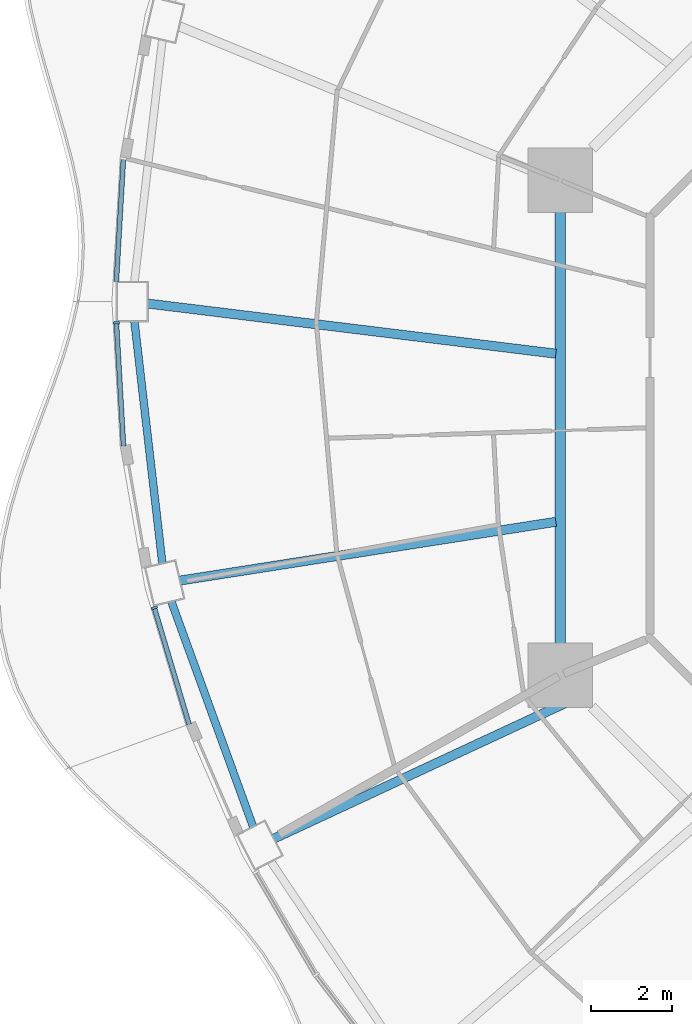
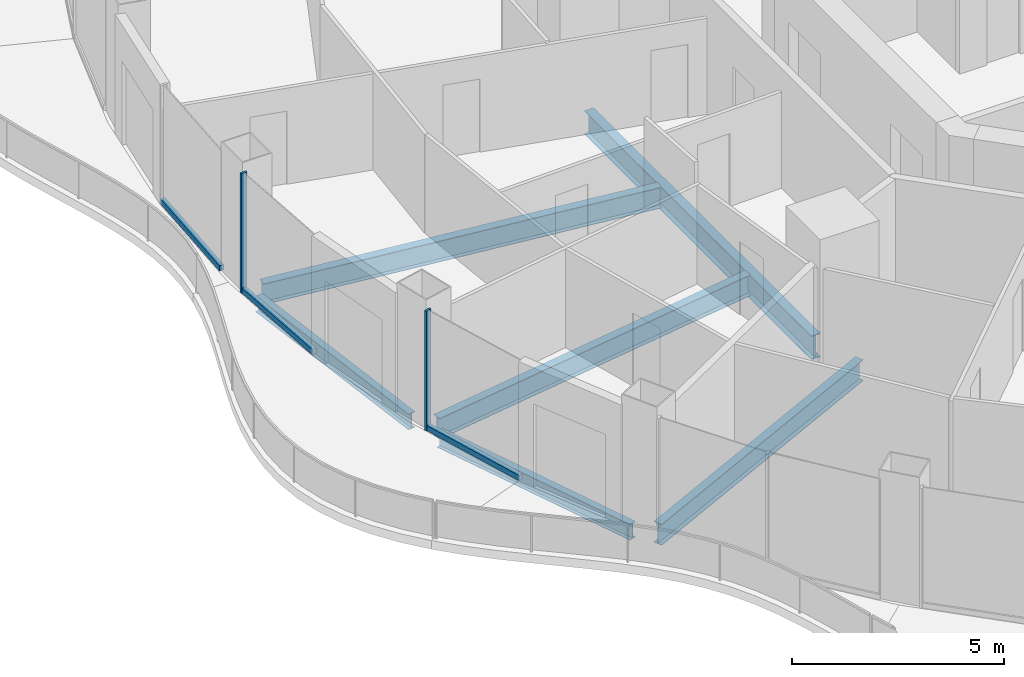
# One storey, part 3 of 18: 6 beams, 5 members, 3 elements without a shape of their own.
"""IFC4 building model written with IfcOpenShell, lengths in metres."""

from ifc_helpers import new_model, si_unit, direction, frame, origin, origin_2d, place, context, subcontext, project, spatial, rectangle, i_section, extrude, material, layer, layer_set, material_profile, profile_set, type_object, element, aggregate, save


model = new_model("IFC4")

# Units and contexts
model_context = context("Model", 3, precision=1e-05, world=origin(), true_north=direction((0.0, 1.0)))
body_context = subcontext(model_context, "Body", "Model", "MODEL_VIEW")
ifc_project = project(units=[si_unit("LENGTHUNIT", "METRE"), si_unit("AREAUNIT", "SQUARE_METRE"), si_unit("VOLUMEUNIT", "CUBIC_METRE"), si_unit("PLANEANGLEUNIT", "RADIAN"), si_unit("MASSUNIT", "GRAM", prefix="KILO")], contexts=[model_context])

# Site, building, storey
site_placement = place(None, origin())
site = spatial("IfcSite", under=ifc_project, at=site_placement, CompositionType="ELEMENT")
building_placement = place(site_placement, origin())
building = spatial("IfcBuilding", under=site, at=building_placement, Name="Nagisa Residences", CompositionType="ELEMENT")
storey_placement = place(building_placement, frame((0.0, 0.0, 241.800048828125)))
storey = spatial("IfcBuildingStorey", under=building, at=storey_placement, Name="L61", CompositionType="ELEMENT", Elevation=241.800048828125)

# Curtain wall, member
ifc_material_1 = material(Name="Concrete-coloured aluminium curtain wall system", Category="concrete")
ifc_layer = layer(ifc_material_1, 0.159912109375)
ifc_layer_set = layer_set([ifc_layer], Name="CW1 CURTAIN WALL")
curtain_wall_type = type_object("IfcCurtainWallType", Name="CW1 CURTAIN WALL", PredefinedType="NOTDEFINED", material=ifc_layer_set)
curtain_wall_1_placement = place(storey_placement, origin())
curtain_wall_1 = element("IfcCurtainWall", 1, at=curtain_wall_1_placement, inside=storey, type_object=curtain_wall_type, Name="cw:CW1:L61:24", PredefinedType="NOTDEFINED")
ifc_material_2 = material(Name="Concrete-coloured aluminium", Category="concrete")
ifc_material_profile_1 = material_profile(ifc_material_2, rectangle(XDim=0.159912109375, YDim=0.06005859375, at=origin_2d()), Name="CW1 MULLION 160x60")
ifc_profile_set_1 = profile_set([ifc_material_profile_1], Name="Concrete-coloured aluminium")
member_type_1 = type_object("IfcMemberType", Name="CW1 MULLION 160x60", PredefinedType="MULLION", material=ifc_profile_set_1)
member_1_placement = place(storey_placement, frame((-25.759765625, 2.59326171875, 0.0), z_axis=(0.0, 0.0, 1.0), x_axis=(0.998345305184, 0.057503492216, 0.0)))
member_1 = element("IfcMember", 2, at=member_1_placement, type_object=member_type_1, Name="CW1 mullion", PredefinedType="MULLION", context=body_context, shape_type="SweptSolid", body=[
    extrude(rectangle(XDim=0.159912109375, YDim=0.06005859375, at=origin_2d()), origin(), (0.0, 0.0, 1.0), 3.43994140625),
])

curtain_wall_2_placement = place(storey_placement, origin())
curtain_wall_2 = element("IfcCurtainWall", 3, at=curtain_wall_2_placement, inside=storey, type_object=curtain_wall_type, Name="cw:CW1:L61:26", PredefinedType="NOTDEFINED")
member_2_placement = place(storey_placement, frame((-24.82177734375, -4.456298828125, 0.0), z_axis=(0.0, 0.0, 1.0), x_axis=(0.958271310082, 0.285860274038, 0.0)))
member_2 = element("IfcMember", 4, at=member_2_placement, type_object=member_type_1, Name="CW1 mullion", PredefinedType="MULLION", context=body_context, shape_type="SweptSolid", body=[
    extrude(rectangle(XDim=0.159912109375, YDim=0.06005859375, at=origin_2d()), origin(), (0.0, 0.0, 1.0), 3.43994140625),
])

curtain_wall_3_placement = place(storey_placement, origin())
curtain_wall_3 = element("IfcCurtainWall", 5, at=curtain_wall_3_placement, inside=storey, type_object=curtain_wall_type, Name="cw:CW1:L61:23", PredefinedType="NOTDEFINED")
ifc_material_3 = material(Name="Concrete-coloured aluminium", Category="concrete")
ifc_material_profile_2 = material_profile(ifc_material_3, rectangle(XDim=0.1201171875, YDim=0.14990234375, at=origin_2d()), Name="CW1 TRANSOM 120x150")
ifc_profile_set_2 = profile_set([ifc_material_profile_2], Name="Concrete-coloured aluminium")
member_type_2 = type_object("IfcMemberType", Name="CW1 TRANSOM 120x150", PredefinedType="USERDEFINED", material=ifc_profile_set_2)
member_3_placement = place(storey_placement, frame((-25.584228515625, 6.688232421875, 0.074951171875), z_axis=(-0.057528189427, -0.998343882348, 0.0), x_axis=(0.998343882348, -0.057528189427, 0.0)))
member_3 = element("IfcMember", 6, at=member_3_placement, type_object=member_type_2, Name="CW1 transom", ObjectType="TRANSOM", PredefinedType="USERDEFINED", context=body_context, shape_type="SweptSolid", body=[
    extrude(rectangle(XDim=0.1201171875, YDim=0.14990234375, at=origin_2d()), origin(), (0.0, 0.0, 1.0), 3.0810546875),
])
aggregate(curtain_wall_3, [member_3])

# Member
member_4_placement = place(storey_placement, frame((-25.761474609375, 2.623046875, 0.074951171875), z_axis=(0.057528189427, -0.998343882348, 0.0), x_axis=(0.998343882348, 0.057528189427, 0.0)))
member_4 = element("IfcMember", 7, at=member_4_placement, type_object=member_type_2, Name="CW1 transom", ObjectType="TRANSOM", PredefinedType="USERDEFINED", context=body_context, shape_type="SweptSolid", body=[
    extrude(rectangle(XDim=0.1201171875, YDim=0.14990234375, at=origin_2d()), origin(), (0.0, 0.0, 1.0), 3.0810546875),
])

aggregate(curtain_wall_1, [member_1, member_4])

member_5_placement = place(storey_placement, frame((-24.830322265625, -4.427734375, 0.074951171875), z_axis=(0.285881452443, -0.958264992134, 0.0), x_axis=(0.958264992134, 0.285881452443, 0.0)))
member_5 = element("IfcMember", 8, at=member_5_placement, type_object=member_type_2, Name="CW1 transom", ObjectType="TRANSOM", PredefinedType="USERDEFINED", context=body_context, shape_type="SweptSolid", body=[
    extrude(rectangle(XDim=0.1201171875, YDim=0.14990234375, at=origin_2d()), origin(), (0.0, 0.0, 1.0), 3.040283203125),
])

aggregate(curtain_wall_2, [member_2, member_5])

# Beams
ifc_material_4 = material(Name="Steel ASTM A572 Gr 50", Category="steel")
ifc_material_profile_3 = material_profile(ifc_material_4, i_section(OverallWidth=0.2529296875, OverallDepth=0.677978515625, WebThickness=0.01171875, FlangeThickness=0.016357421875, at=origin_2d()), Name="W690x125")
ifc_profile_set_3 = profile_set([ifc_material_profile_3], Name="Steel ASTM A572 Gr 50")
beam_type_1 = type_object("IfcBeamType", Name="Inner ring beam W690x125", PredefinedType="BEAM", material=ifc_profile_set_3)
beam_1_placement = place(storey_placement, frame((-14.781982421875, 5.343017578125, -0.59912109375), z_axis=(0.0, -1.0, 0.0), x_axis=(1.0, 0.0, 0.0)))
element("IfcBeam", 9, at=beam_1_placement, inside=storey, type_object=beam_type_1, Name="beam:L61:ib4", PredefinedType="BEAM", context=body_context, shape_type="SweptSolid", body=[
    extrude(i_section(OverallWidth=0.2529296875, OverallDepth=0.677978515625, WebThickness=0.01171875, FlangeThickness=0.016357421875, at=origin_2d()), origin(), (0.0, 0.0, 1.0), 10.68603515625),
])
ifc_material_5 = material(Name="Steel ASTM A572 Gr 50", Category="steel")
ifc_material_profile_4 = material_profile(ifc_material_5, i_section(OverallWidth=0.18994140625, OverallDepth=0.45703125, WebThickness=0.009033203125, FlangeThickness=0.014404296875, at=origin_2d()), Name="W460x74")
ifc_profile_set_4 = profile_set([ifc_material_profile_4], Name="Steel ASTM A572 Gr 50")
beam_type_2 = type_object("IfcBeamType", Name="Perimeter ring beam W460x74", PredefinedType="BEAM", material=ifc_profile_set_4)
beam_2_placement = place(storey_placement, frame((-25.314697265625, 2.637451171875, -0.488525390625), z_axis=(0.114650193512, -0.993405925656, 0.0), x_axis=(0.993405925656, 0.114650193512, 0.0)))
element("IfcBeam", 10, at=beam_2_placement, inside=storey, type_object=beam_type_2, Name="beam:L61:pb13", PredefinedType="BEAM", context=body_context, shape_type="SweptSolid", body=[
    extrude(i_section(OverallWidth=0.18994140625, OverallDepth=0.45703125, WebThickness=0.009033203125, FlangeThickness=0.014404296875, at=origin_2d()), origin(), (0.0, 0.0, 1.0), 6.0390625),
])
beam_3_placement = place(storey_placement, frame((-24.40185546875, -4.29638671875, -0.488525390625), z_axis=(0.341290329164, -0.939957930558, 0.0), x_axis=(0.939957930558, 0.341290329164, 0.0)))
element("IfcBeam", 11, at=beam_3_placement, inside=storey, type_object=beam_type_2, Name="beam:L61:pb14", PredefinedType="BEAM", context=body_context, shape_type="SweptSolid", body=[
    extrude(i_section(OverallWidth=0.18994140625, OverallDepth=0.45703125, WebThickness=0.009033203125, FlangeThickness=0.014404296875, at=origin_2d()), origin(), (0.0, 0.0, 1.0), 5.932373046875),
])
ifc_material_6 = material(Name="Steel ASTM A572 Gr 50", Category="steel")
ifc_material_profile_5 = material_profile(ifc_material_6, i_section(OverallWidth=0.22802734375, OverallDepth=0.60302734375, WebThickness=0.010498046875, FlangeThickness=0.014892578125, at=origin_2d()), Name="W610x101")
ifc_profile_set_5 = profile_set([ifc_material_profile_5], Name="Steel ASTM A572 Gr 50")
beam_type_3 = type_object("IfcBeamType", Name="Radial beam W610x101", PredefinedType="BEAM", material=ifc_profile_set_5)
beam_4_placement = place(storey_placement, frame((-24.98974609375, 3.071044921875, -0.5615234375), z_axis=(0.992531892614, -0.121985417749, 0.0), x_axis=(0.121985417749, 0.992531892614, 0.0)))
element("IfcBeam", 12, at=beam_4_placement, inside=storey, type_object=beam_type_3, Name="beam:L61:rb13", PredefinedType="BEAM", context=body_context, shape_type="SweptSolid", body=[
    extrude(i_section(OverallWidth=0.22802734375, OverallDepth=0.60302734375, WebThickness=0.010498046875, FlangeThickness=0.014892578125, at=origin_2d()), origin(), (0.0, 0.0, 1.0), 10.177001953125),
])
beam_5_placement = place(storey_placement, frame((-24.190185546875, -3.782958984375, -0.5615234375), z_axis=(0.987991506145, 0.154508199738, 0.0), x_axis=(-0.154508199738, 0.987991506145, 0.0)))
element("IfcBeam", 13, at=beam_5_placement, inside=storey, type_object=beam_type_3, Name="beam:L61:rb14", PredefinedType="BEAM", context=body_context, shape_type="SweptSolid", body=[
    extrude(i_section(OverallWidth=0.22802734375, OverallDepth=0.60302734375, WebThickness=0.010498046875, FlangeThickness=0.014892578125, at=origin_2d()), origin(), (0.0, 0.0, 1.0), 9.414306640625),
])
beam_6_placement = place(storey_placement, frame((-21.867431640625, -10.1669921875, -0.5615234375), z_axis=(0.906781531642, 0.421600822903, 0.0), x_axis=(-0.421600822903, 0.906781531642, 0.0)))
element("IfcBeam", 14, at=beam_6_placement, inside=storey, type_object=beam_type_3, Name="beam:L61:rb15", PredefinedType="BEAM", context=body_context, shape_type="SweptSolid", body=[
    extrude(i_section(OverallWidth=0.22802734375, OverallDepth=0.60302734375, WebThickness=0.010498046875, FlangeThickness=0.014892578125, at=origin_2d()), origin(), (0.0, 0.0, 1.0), 8.263427734375),
])

save(model, "model.ifc")
